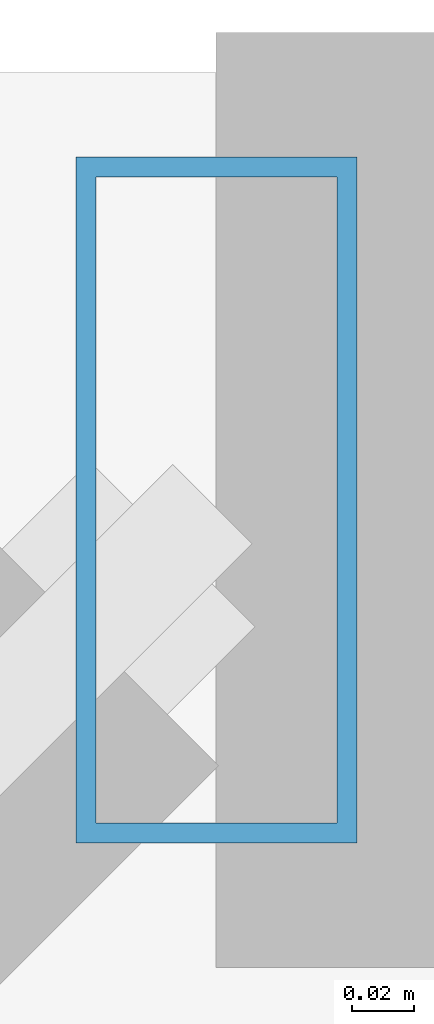
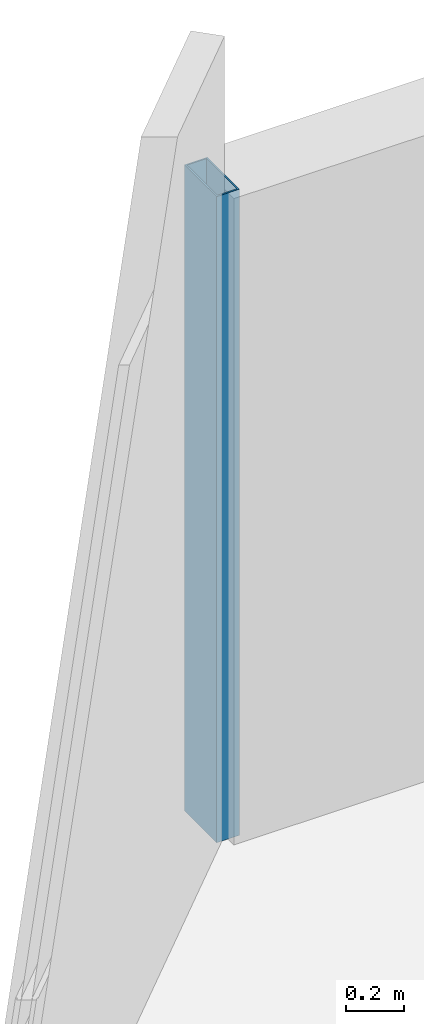
# One storey, part 16 of 34: 1 member, 1 element without a shape of its own.
"""IFC4 building model written with IfcOpenShell, lengths in metres."""

from ifc_helpers import new_model, si_unit, direction, frame, origin, origin_2d, place, context, subcontext, project, spatial, hollow_rectangle, extrude, material, material_profile, profile_set, type_object, element, aggregate, save


model = new_model("IFC4")

# Units and contexts
model_context = context("Model", 3, precision=1e-05, world=origin(), true_north=direction((0.0, 1.0)))
body_context = subcontext(model_context, "Body", "Model", "MODEL_VIEW")
ifc_project = project(units=[si_unit("LENGTHUNIT", "METRE"), si_unit("AREAUNIT", "SQUARE_METRE"), si_unit("VOLUMEUNIT", "CUBIC_METRE"), si_unit("PLANEANGLEUNIT", "RADIAN"), si_unit("MASSUNIT", "GRAM", prefix="KILO")], contexts=[model_context])

# Site, building, storey
site_placement = place(None, origin())
site = spatial("IfcSite", under=ifc_project, at=site_placement, CompositionType="ELEMENT")
building_placement = place(site_placement, origin())
building = spatial("IfcBuilding", under=site, at=building_placement, Name="Thornwick Lancets Civic Towers", CompositionType="ELEMENT")
storey_placement = place(building_placement, frame((0.0, 0.0, 60.89990234375)))
storey = spatial("IfcBuildingStorey", under=building, at=storey_placement, Name="L15", CompositionType="ELEMENT", Elevation=60.89990234375)

# Curtain wall, member
ifc_material_1 = material(Name="Low-zone chamfered-corner unitised glass curtain wall", Category="glass")
curtain_wall_type = type_object("IfcCurtainWallType", Name="CW_SYS_03", PredefinedType="NOTDEFINED", material=ifc_material_1)
curtain_wall_placement = place(storey_placement, origin())
curtain_wall = element("IfcCurtainWall", 1, at=curtain_wall_placement, inside=storey, type_object=curtain_wall_type, Name="L15 Curtain Wall CW-L15-B-E5", PredefinedType="NOTDEFINED")
ifc_material_2 = material(Name="Thermally broken bronze aluminium S355", Category="steel")
ifc_material_profile = material_profile(ifc_material_2, hollow_rectangle(XDim=0.090087890625, YDim=0.219970703125, WallThickness=0.00634765625, at=origin_2d()), Name="RHS 220x90x6.3")
ifc_profile_set = profile_set([ifc_material_profile], Name="Thermally broken bronze aluminium S355")
member_type = type_object("IfcMemberType", Name="CW_MUL_220", PredefinedType="MULLION", material=ifc_profile_set)
member_placement = place(storey_placement, frame((73.471435546875, 51.2626953125, 0.0), z_axis=(0.0, 0.0, 1.0), x_axis=(1.0, 0.0, 0.0)))
member = element("IfcMember", 2, at=member_placement, type_object=member_type, Name="CW-L15-B-E5 Mullion 0", PredefinedType="MULLION", context=body_context, shape_type="SweptSolid", body=[
    extrude(hollow_rectangle(XDim=0.090087890625, YDim=0.219970703125, WallThickness=0.00634765625, at=origin_2d()), origin(), (0.0, 0.0, 1.0), 2.7001953125),
])
aggregate(curtain_wall, [member])

save(model, "model.ifc")
